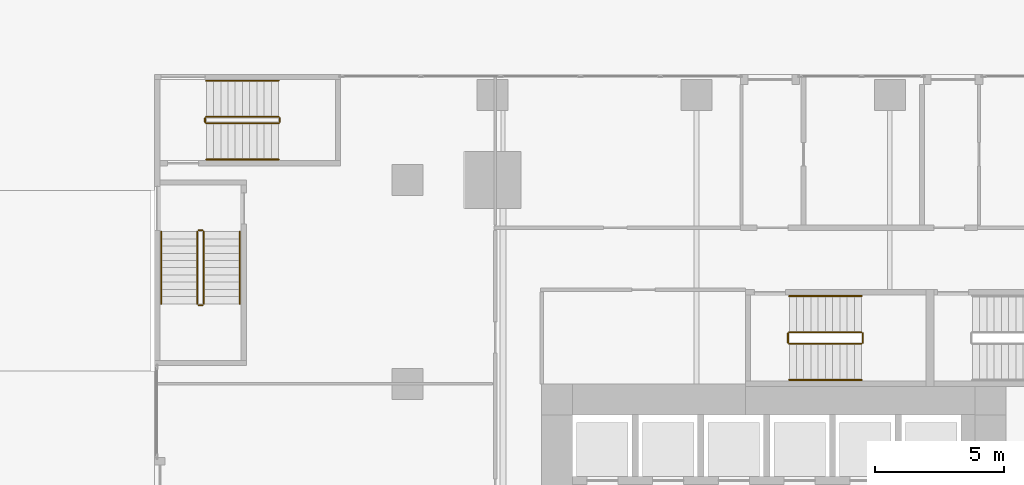
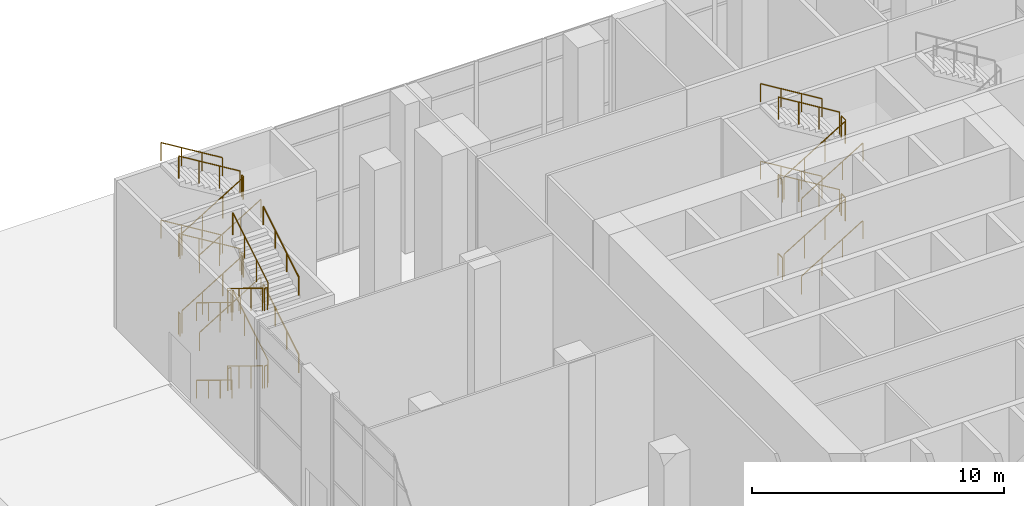
# One storey, part 46 of 52: 36 railings.
"""IFC4 building model written with IfcOpenShell, lengths in metres."""

from ifc_helpers import new_model, si_unit, direction, frame, origin, origin_2d, place, context, subcontext, project, spatial, circle, extrude, source, transform, mapped, material, type_object, element, save


model = new_model("IFC4")

# Units and contexts
model_context = context("Model", 3, precision=1e-05, world=origin(), true_north=direction((0.0, 1.0)))
body_context = subcontext(model_context, "Body", "Model", "MODEL_VIEW")
ifc_project = project(units=[si_unit("LENGTHUNIT", "METRE"), si_unit("AREAUNIT", "SQUARE_METRE"), si_unit("VOLUMEUNIT", "CUBIC_METRE"), si_unit("PLANEANGLEUNIT", "RADIAN"), si_unit("MASSUNIT", "GRAM", prefix="KILO")], contexts=[model_context])

# Site, building, storey
site_placement = place(None, origin())
site = spatial("IfcSite", under=ifc_project, at=site_placement, CompositionType="ELEMENT")
building_placement = place(site_placement, origin())
building = spatial("IfcBuilding", under=site, at=building_placement, Name="Khomas Fold Tower", CompositionType="ELEMENT")
storey_placement = place(building_placement, origin())
storey = spatial("IfcBuildingStorey", under=building, at=storey_placement, Name="L00", CompositionType="ELEMENT", Elevation=0.0)

# Railings
ifc_material_1 = material(Name="Steel balustrade", Category="steel")
railing_type_1 = type_object("IfcRailingType", Name="Stair guard", PredefinedType="GUARDRAIL", material=ifc_material_1)
shared_shape_1 = source(origin(), body_context, "Body", "SweptSolid", [
    extrude(circle(Radius=0.02392578125, at=origin_2d()), frame((0.0, 0.0, 1.076171875), z_axis=(0.0, 1.0, 0.0), x_axis=(-1.0, 0.0, 0.0)), (0.0, 0.0, 1.0), 0.349853515625),
    extrude(circle(Radius=0.02099609375, at=origin_2d()), origin(), (0.0, 0.0, 1.0), 1.052001953125),
    extrude(circle(Radius=0.02099609375, at=origin_2d()), frame((0.0, 0.349853515625, 0.0)), (0.0, 0.0, 1.0), 1.052001953125),
])
for number, where, name in (
    (1, (18.449951171875, 43.60009765625, 1.875), "L00 ST1 stair guard 2"),
    (2, (15.550048828125, 43.60009765625, 3.75), "L00 ST1 stair guard 4"),
    (3, (18.449951171875, 43.60009765625, 5.625), "L00 ST1 stair guard 6"),
    (4, (15.550048828125, 43.60009765625, 0.0), "L00 ST1 stair guard 8"),
):
    element("IfcRailing", number, at=place(storey_placement, frame(where)), inside=storey, type_object=railing_type_1, Name=name, PredefinedType="GUARDRAIL", context=body_context, shape_type="MappedRepresentation", body=[
        mapped(shared_shape_1, transform((0.0, 0.0, 0.0))),
    ])
shared_shape_2 = source(origin(), body_context, "Body", "SweptSolid", [
    extrude(circle(Radius=0.02392578125, at=origin_2d()), frame((0.0, 0.0, 1.076171875), z_axis=(0.854149651119, 0.0, 0.520027281489), x_axis=(0.0, 1.0, 0.0)), (0.0, 0.0, 1.0), 3.27783203125),
    extrude(circle(Radius=0.02099609375, at=origin_2d()), origin(), (0.0, 0.0, 1.0), 1.052001953125),
    extrude(circle(Radius=0.02099609375, at=origin_2d()), frame((0.933349609375, 0.0, 0.568115234375)), (0.0, 0.0, 1.0), 1.052001953125),
    extrude(circle(Radius=0.02099609375, at=origin_2d()), frame((1.866455078125, 0.0, 1.136474609375)), (0.0, 0.0, 1.0), 1.052001953125),
    extrude(circle(Radius=0.02099609375, at=origin_2d()), frame((2.7998046875, 0.0, 1.70458984375)), (0.0, 0.0, 1.0), 1.052001953125),
])
for number, where, name in (
    (5, (15.60009765625, 43.550048828125, 0.17041015625), "L00 ST1 stair guard 1"),
    (6, (15.60009765625, 43.550048828125, 3.92041015625), "L00 ST1 stair guard 5"),
):
    element("IfcRailing", number, at=place(storey_placement, frame(where)), inside=storey, type_object=railing_type_1, Name=name, PredefinedType="GUARDRAIL", context=body_context, shape_type="MappedRepresentation", body=[
        mapped(shared_shape_2, transform((0.0, 0.0, 0.0))),
    ])
shared_shape_3 = source(origin(), body_context, "Body", "SweptSolid", [
    extrude(circle(Radius=0.02392578125, at=origin_2d()), frame((0.0, 0.0, 1.076171875), z_axis=(-0.854149651119, 0.0, 0.520027281489), x_axis=(0.0, -1.0, 0.0)), (0.0, 0.0, 1.0), 3.27783203125),
    extrude(circle(Radius=0.02099609375, at=origin_2d()), origin(), (0.0, 0.0, 1.0), 1.052001953125),
    extrude(circle(Radius=0.02099609375, at=origin_2d()), frame((-0.933349609375, 0.0, 0.568115234375)), (0.0, 0.0, 1.0), 1.052001953125),
    extrude(circle(Radius=0.02099609375, at=origin_2d()), frame((-1.866455078125, 0.0, 1.136474609375)), (0.0, 0.0, 1.0), 1.052001953125),
    extrude(circle(Radius=0.02099609375, at=origin_2d()), frame((-2.7998046875, 0.0, 1.70458984375)), (0.0, 0.0, 1.0), 1.052001953125),
])
for number, where, name in (
    (7, (18.39990234375, 44.0, 2.04541015625), "L00 ST1 stair guard 3"),
    (8, (18.39990234375, 44.0, 5.79541015625), "L00 ST1 stair guard 7"),
):
    element("IfcRailing", number, at=place(storey_placement, frame(where)), inside=storey, type_object=railing_type_1, Name=name, PredefinedType="GUARDRAIL", context=body_context, shape_type="MappedRepresentation", body=[
        mapped(shared_shape_3, transform((0.0, 0.0, 0.0))),
    ])
ifc_material_2 = material(Name="Steel handrail", Category="steel")
railing_type_2 = type_object("IfcRailingType", Name="Stair handrail", PredefinedType="HANDRAIL", material=ifc_material_2)
shared_shape_4 = source(origin(), body_context, "Body", "SweptSolid", [
    extrude(circle(Radius=0.02392578125, at=origin_2d()), frame((0.0, 0.0, 0.8759765625), z_axis=(0.854149651119, 0.0, 0.520027281489), x_axis=(0.0, 1.0, 0.0)), (0.0, 0.0, 1.0), 3.27783203125),
    extrude(circle(Radius=0.02099609375, at=origin_2d()), origin(), (0.0, 0.0, 1.0), 0.851806640625),
    extrude(circle(Radius=0.02099609375, at=origin_2d()), frame((0.933349609375, 0.0, 0.568115234375)), (0.0, 0.0, 1.0), 0.851806640625),
    extrude(circle(Radius=0.02099609375, at=origin_2d()), frame((1.866455078125, 0.0, 1.136474609375)), (0.0, 0.0, 1.0), 0.851806640625),
    extrude(circle(Radius=0.02099609375, at=origin_2d()), frame((2.7998046875, 0.0, 1.70458984375)), (0.0, 0.0, 1.0), 0.851806640625),
])
for number, where, name in (
    (9, (15.60009765625, 42.14990234375, 0.17041015625), "L00 ST1 stair handrail 1"),
    (10, (15.60009765625, 42.14990234375, 3.92041015625), "L00 ST1 stair handrail 3"),
):
    element("IfcRailing", number, at=place(storey_placement, frame(where)), inside=storey, type_object=railing_type_2, Name=name, PredefinedType="HANDRAIL", context=body_context, shape_type="MappedRepresentation", body=[
        mapped(shared_shape_4, transform((0.0, 0.0, 0.0))),
    ])
shared_shape_5 = source(origin(), body_context, "Body", "SweptSolid", [
    extrude(circle(Radius=0.02392578125, at=origin_2d()), frame((0.0, 0.0, 0.8759765625), z_axis=(-0.854149651119, 0.0, 0.520027281489), x_axis=(0.0, -1.0, 0.0)), (0.0, 0.0, 1.0), 3.27783203125),
    extrude(circle(Radius=0.02099609375, at=origin_2d()), origin(), (0.0, 0.0, 1.0), 0.851806640625),
    extrude(circle(Radius=0.02099609375, at=origin_2d()), frame((-0.933349609375, 0.0, 0.568115234375)), (0.0, 0.0, 1.0), 0.851806640625),
    extrude(circle(Radius=0.02099609375, at=origin_2d()), frame((-1.866455078125, 0.0, 1.136474609375)), (0.0, 0.0, 1.0), 0.851806640625),
    extrude(circle(Radius=0.02099609375, at=origin_2d()), frame((-2.7998046875, 0.0, 1.70458984375)), (0.0, 0.0, 1.0), 0.851806640625),
])
for number, where, name in (
    (11, (18.39990234375, 45.39990234375, 2.04541015625), "L00 ST1 stair handrail 2"),
    (12, (18.39990234375, 45.39990234375, 5.79541015625), "L00 ST1 stair handrail 4"),
):
    element("IfcRailing", number, at=place(storey_placement, frame(where)), inside=storey, type_object=railing_type_2, Name=name, PredefinedType="HANDRAIL", context=body_context, shape_type="MappedRepresentation", body=[
        mapped(shared_shape_5, transform((0.0, 0.0, 0.0))),
    ])
shared_shape_6 = source(origin(), body_context, "Body", "SweptSolid", [
    extrude(circle(Radius=0.02392578125, at=origin_2d()), frame((0.0, 0.0, 1.076171875), z_axis=(0.854169791009, 0.0, 0.51999420009), x_axis=(0.0, 1.0, 0.0)), (0.0, 0.0, 1.0), 3.278076171875),
    extrude(circle(Radius=0.02099609375, at=origin_2d()), origin(), (0.0, 0.0, 1.0), 1.052001953125),
    extrude(circle(Radius=0.02099609375, at=origin_2d()), frame((0.933349609375, 0.0, 0.568115234375)), (0.0, 0.0, 1.0), 1.052001953125),
    extrude(circle(Radius=0.02099609375, at=origin_2d()), frame((1.86669921875, 0.0, 1.136474609375)), (0.0, 0.0, 1.0), 1.052001953125),
    extrude(circle(Radius=0.02099609375, at=origin_2d()), frame((2.800048828125, 0.0, 1.70458984375)), (0.0, 0.0, 1.0), 1.052001953125),
])
for number, where, name in (
    (13, (-7.0, 52.10009765625, 0.17041015625), "L00 PS7 stair guard 1"),
    (14, (-7.0, 52.10009765625, 3.92041015625), "L00 PS7 stair guard 5"),
):
    element("IfcRailing", number, at=place(storey_placement, frame(where)), inside=storey, type_object=railing_type_1, Name=name, PredefinedType="GUARDRAIL", context=body_context, shape_type="MappedRepresentation", body=[
        mapped(shared_shape_6, transform((0.0, 0.0, 0.0))),
    ])
shared_shape_7 = source(origin(), body_context, "Body", "SweptSolid", [
    extrude(circle(Radius=0.02392578125, at=origin_2d()), frame((0.0, 0.0, 1.076171875), z_axis=(-0.854169791009, 0.0, 0.51999420009), x_axis=(0.0, -1.0, 0.0)), (0.0, 0.0, 1.0), 3.278076171875),
    extrude(circle(Radius=0.02099609375, at=origin_2d()), origin(), (0.0, 0.0, 1.0), 1.052001953125),
    extrude(circle(Radius=0.02099609375, at=origin_2d()), frame((-0.933349609375, 0.0, 0.568115234375)), (0.0, 0.0, 1.0), 1.052001953125),
    extrude(circle(Radius=0.02099609375, at=origin_2d()), frame((-1.86669921875, 0.0, 1.136474609375)), (0.0, 0.0, 1.0), 1.052001953125),
    extrude(circle(Radius=0.02099609375, at=origin_2d()), frame((-2.800048828125, 0.0, 1.70458984375)), (0.0, 0.0, 1.0), 1.052001953125),
])
for number, where, name in (
    (15, (-4.199951171875, 52.35009765625, 2.04541015625), "L00 PS7 stair guard 3"),
    (16, (-4.199951171875, 52.35009765625, 5.79541015625), "L00 PS7 stair guard 7"),
):
    element("IfcRailing", number, at=place(storey_placement, frame(where)), inside=storey, type_object=railing_type_1, Name=name, PredefinedType="GUARDRAIL", context=body_context, shape_type="MappedRepresentation", body=[
        mapped(shared_shape_7, transform((0.0, 0.0, 0.0))),
    ])
shared_shape_8 = source(origin(), body_context, "Body", "SweptSolid", [
    extrude(circle(Radius=0.02392578125, at=origin_2d()), frame((0.0, 0.0, 0.8759765625), z_axis=(0.854169791009, 0.0, 0.51999420009), x_axis=(0.0, 1.0, 0.0)), (0.0, 0.0, 1.0), 3.278076171875),
    extrude(circle(Radius=0.02099609375, at=origin_2d()), origin(), (0.0, 0.0, 1.0), 0.851806640625),
    extrude(circle(Radius=0.02099609375, at=origin_2d()), frame((0.933349609375, 0.0, 0.568115234375)), (0.0, 0.0, 1.0), 0.851806640625),
    extrude(circle(Radius=0.02099609375, at=origin_2d()), frame((1.86669921875, 0.0, 1.136474609375)), (0.0, 0.0, 1.0), 0.851806640625),
    extrude(circle(Radius=0.02099609375, at=origin_2d()), frame((2.800048828125, 0.0, 1.70458984375)), (0.0, 0.0, 1.0), 0.851806640625),
])
for number, where, name in (
    (17, (-7.0, 50.699951171875, 0.17041015625), "L00 PS7 stair handrail 1"),
    (18, (-7.0, 50.699951171875, 3.92041015625), "L00 PS7 stair handrail 3"),
):
    element("IfcRailing", number, at=place(storey_placement, frame(where)), inside=storey, type_object=railing_type_2, Name=name, PredefinedType="HANDRAIL", context=body_context, shape_type="MappedRepresentation", body=[
        mapped(shared_shape_8, transform((0.0, 0.0, 0.0))),
    ])
shared_shape_9 = source(origin(), body_context, "Body", "SweptSolid", [
    extrude(circle(Radius=0.02392578125, at=origin_2d()), frame((0.0, 0.0, 0.8759765625), z_axis=(-0.854169791009, 0.0, 0.51999420009), x_axis=(0.0, -1.0, 0.0)), (0.0, 0.0, 1.0), 3.278076171875),
    extrude(circle(Radius=0.02099609375, at=origin_2d()), origin(), (0.0, 0.0, 1.0), 0.851806640625),
    extrude(circle(Radius=0.02099609375, at=origin_2d()), frame((-0.933349609375, 0.0, 0.568115234375)), (0.0, 0.0, 1.0), 0.851806640625),
    extrude(circle(Radius=0.02099609375, at=origin_2d()), frame((-1.86669921875, 0.0, 1.136474609375)), (0.0, 0.0, 1.0), 0.851806640625),
    extrude(circle(Radius=0.02099609375, at=origin_2d()), frame((-2.800048828125, 0.0, 1.70458984375)), (0.0, 0.0, 1.0), 0.851806640625),
])
for number, where, name in (
    (19, (-4.199951171875, 53.75, 2.04541015625), "L00 PS7 stair handrail 2"),
    (20, (-4.199951171875, 53.75, 5.79541015625), "L00 PS7 stair handrail 4"),
):
    element("IfcRailing", number, at=place(storey_placement, frame(where)), inside=storey, type_object=railing_type_2, Name=name, PredefinedType="HANDRAIL", context=body_context, shape_type="MappedRepresentation", body=[
        mapped(shared_shape_9, transform((0.0, 0.0, 0.0))),
    ])
shared_shape_10 = source(origin(), body_context, "Body", "SweptSolid", [
    extrude(circle(Radius=0.02392578125, at=origin_2d()), frame((0.0, 0.0, 1.076171875), z_axis=(0.0, 1.0, 0.0), x_axis=(-1.0, 0.0, 0.0)), (0.0, 0.0, 1.0), 0.150146484375),
    extrude(circle(Radius=0.02099609375, at=origin_2d()), origin(), (0.0, 0.0, 1.0), 1.052001953125),
    extrude(circle(Radius=0.02099609375, at=origin_2d()), frame((0.0, 0.150146484375, 0.0)), (0.0, 0.0, 1.0), 1.052001953125),
])
for number, where, name in (
    (21, (-4.14990234375, 52.14990234375, 1.875), "L00 PS7 stair guard 2"),
    (22, (-7.050048828125, 52.14990234375, 3.75), "L00 PS7 stair guard 4"),
    (23, (-4.14990234375, 52.14990234375, 5.625), "L00 PS7 stair guard 6"),
    (24, (-7.050048828125, 52.14990234375, 0.0), "L00 PS7 stair guard 8"),
):
    element("IfcRailing", number, at=place(storey_placement, frame(where)), inside=storey, type_object=railing_type_1, Name=name, PredefinedType="GUARDRAIL", context=body_context, shape_type="MappedRepresentation", body=[
        mapped(shared_shape_10, transform((0.0, 0.0, 0.0))),
    ])
shared_shape_11 = source(origin(), body_context, "Body", "SweptSolid", [
    extrude(circle(Radius=0.02392578125, at=origin_2d()), frame((0.0, 0.0, 1.076171875), z_axis=(0.0, 0.854149651119, 0.520027281489), x_axis=(-1.0, 0.0, 0.0)), (0.0, 0.0, 1.0), 3.27783203125),
    extrude(circle(Radius=0.02099609375, at=origin_2d()), origin(), (0.0, 0.0, 1.0), 1.052001953125),
    extrude(circle(Radius=0.02099609375, at=origin_2d()), frame((0.0, 0.933349609375, 0.568115234375)), (0.0, 0.0, 1.0), 1.052001953125),
    extrude(circle(Radius=0.02099609375, at=origin_2d()), frame((0.0, 1.866455078125, 1.136474609375)), (0.0, 0.0, 1.0), 1.052001953125),
    extrude(circle(Radius=0.02099609375, at=origin_2d()), frame((0.0, 2.7998046875, 1.70458984375)), (0.0, 0.0, 1.0), 1.052001953125),
])
for number, where, name in (
    (25, (-7.10009765625, 45.10009765625, 2.04541015625), "L00 PS8 stair guard 3"),
    (26, (-7.10009765625, 45.10009765625, 5.79541015625), "L00 PS8 stair guard 7"),
):
    element("IfcRailing", number, at=place(storey_placement, frame(where)), inside=storey, type_object=railing_type_1, Name=name, PredefinedType="GUARDRAIL", context=body_context, shape_type="MappedRepresentation", body=[
        mapped(shared_shape_11, transform((0.0, 0.0, 0.0))),
    ])
shared_shape_12 = source(origin(), body_context, "Body", "SweptSolid", [
    extrude(circle(Radius=0.02392578125, at=origin_2d()), frame((0.0, 0.0, 1.076171875), z_axis=(0.0, -0.854149651119, 0.520027281489), x_axis=(1.0, 0.0, 0.0)), (0.0, 0.0, 1.0), 3.27783203125),
    extrude(circle(Radius=0.02099609375, at=origin_2d()), origin(), (0.0, 0.0, 1.0), 1.052001953125),
    extrude(circle(Radius=0.02099609375, at=origin_2d()), frame((0.0, -0.933349609375, 0.568115234375)), (0.0, 0.0, 1.0), 1.052001953125),
    extrude(circle(Radius=0.02099609375, at=origin_2d()), frame((0.0, -1.866455078125, 1.136474609375)), (0.0, 0.0, 1.0), 1.052001953125),
    extrude(circle(Radius=0.02099609375, at=origin_2d()), frame((0.0, -2.7998046875, 1.70458984375)), (0.0, 0.0, 1.0), 1.052001953125),
])
for number, where, name in (
    (27, (-7.35009765625, 47.89990234375, 0.17041015625), "L00 PS8 stair guard 1"),
    (28, (-7.35009765625, 47.89990234375, 3.92041015625), "L00 PS8 stair guard 5"),
):
    element("IfcRailing", number, at=place(storey_placement, frame(where)), inside=storey, type_object=railing_type_1, Name=name, PredefinedType="GUARDRAIL", context=body_context, shape_type="MappedRepresentation", body=[
        mapped(shared_shape_12, transform((0.0, 0.0, 0.0))),
    ])
shared_shape_13 = source(origin(), body_context, "Body", "SweptSolid", [
    extrude(circle(Radius=0.02392578125, at=origin_2d()), frame((0.0, 0.0, 0.8759765625), z_axis=(0.0, 0.854149651119, 0.520027281489), x_axis=(-1.0, 0.0, 0.0)), (0.0, 0.0, 1.0), 3.27783203125),
    extrude(circle(Radius=0.02099609375, at=origin_2d()), origin(), (0.0, 0.0, 1.0), 0.851806640625),
    extrude(circle(Radius=0.02099609375, at=origin_2d()), frame((0.0, 0.933349609375, 0.568115234375)), (0.0, 0.0, 1.0), 0.851806640625),
    extrude(circle(Radius=0.02099609375, at=origin_2d()), frame((0.0, 1.866455078125, 1.136474609375)), (0.0, 0.0, 1.0), 0.851806640625),
    extrude(circle(Radius=0.02099609375, at=origin_2d()), frame((0.0, 2.7998046875, 1.70458984375)), (0.0, 0.0, 1.0), 0.851806640625),
])
for number, where, name in (
    (29, (-5.699951171875, 45.10009765625, 2.04541015625), "L00 PS8 stair handrail 2"),
    (30, (-5.699951171875, 45.10009765625, 5.79541015625), "L00 PS8 stair handrail 4"),
):
    element("IfcRailing", number, at=place(storey_placement, frame(where)), inside=storey, type_object=railing_type_2, Name=name, PredefinedType="HANDRAIL", context=body_context, shape_type="MappedRepresentation", body=[
        mapped(shared_shape_13, transform((0.0, 0.0, 0.0))),
    ])
shared_shape_14 = source(origin(), body_context, "Body", "SweptSolid", [
    extrude(circle(Radius=0.02392578125, at=origin_2d()), frame((0.0, 0.0, 0.8759765625), z_axis=(0.0, -0.854149651119, 0.520027281489), x_axis=(1.0, 0.0, 0.0)), (0.0, 0.0, 1.0), 3.27783203125),
    extrude(circle(Radius=0.02099609375, at=origin_2d()), origin(), (0.0, 0.0, 1.0), 0.851806640625),
    extrude(circle(Radius=0.02099609375, at=origin_2d()), frame((0.0, -0.933349609375, 0.568115234375)), (0.0, 0.0, 1.0), 0.851806640625),
    extrude(circle(Radius=0.02099609375, at=origin_2d()), frame((0.0, -1.866455078125, 1.136474609375)), (0.0, 0.0, 1.0), 0.851806640625),
    extrude(circle(Radius=0.02099609375, at=origin_2d()), frame((0.0, -2.7998046875, 1.70458984375)), (0.0, 0.0, 1.0), 0.851806640625),
])
for number, where, name in (
    (31, (-8.75, 47.89990234375, 0.17041015625), "L00 PS8 stair handrail 1"),
    (32, (-8.75, 47.89990234375, 3.92041015625), "L00 PS8 stair handrail 3"),
):
    element("IfcRailing", number, at=place(storey_placement, frame(where)), inside=storey, type_object=railing_type_2, Name=name, PredefinedType="HANDRAIL", context=body_context, shape_type="MappedRepresentation", body=[
        mapped(shared_shape_14, transform((0.0, 0.0, 0.0))),
    ])
shared_shape_15 = source(origin(), body_context, "Body", "SweptSolid", [
    extrude(circle(Radius=0.02392578125, at=origin_2d()), frame((0.0, 0.0, 1.076171875), z_axis=(1.0, 0.0, 0.0), x_axis=(0.0, 1.0, 0.0)), (0.0, 0.0, 1.0), 0.150146484375),
    extrude(circle(Radius=0.02099609375, at=origin_2d()), origin(), (0.0, 0.0, 1.0), 1.052001953125),
    extrude(circle(Radius=0.02099609375, at=origin_2d()), frame((0.150146484375, 0.0, 0.0)), (0.0, 0.0, 1.0), 1.052001953125),
])
for number, where, name in (
    (33, (-7.300048828125, 45.050048828125, 1.875), "L00 PS8 stair guard 2"),
    (34, (-7.300048828125, 47.949951171875, 3.75), "L00 PS8 stair guard 4"),
    (35, (-7.300048828125, 45.050048828125, 5.625), "L00 PS8 stair guard 6"),
    (36, (-7.300048828125, 47.949951171875, 0.0), "L00 PS8 stair guard 8"),
):
    element("IfcRailing", number, at=place(storey_placement, frame(where)), inside=storey, type_object=railing_type_1, Name=name, PredefinedType="GUARDRAIL", context=body_context, shape_type="MappedRepresentation", body=[
        mapped(shared_shape_15, transform((0.0, 0.0, 0.0))),
    ])

save(model, "model.ifc")
